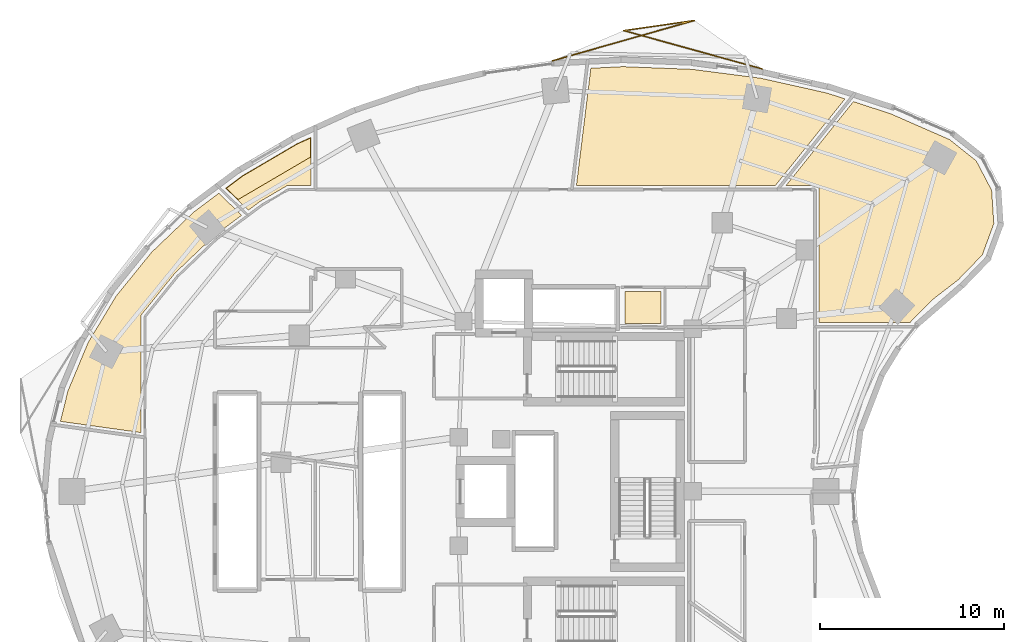
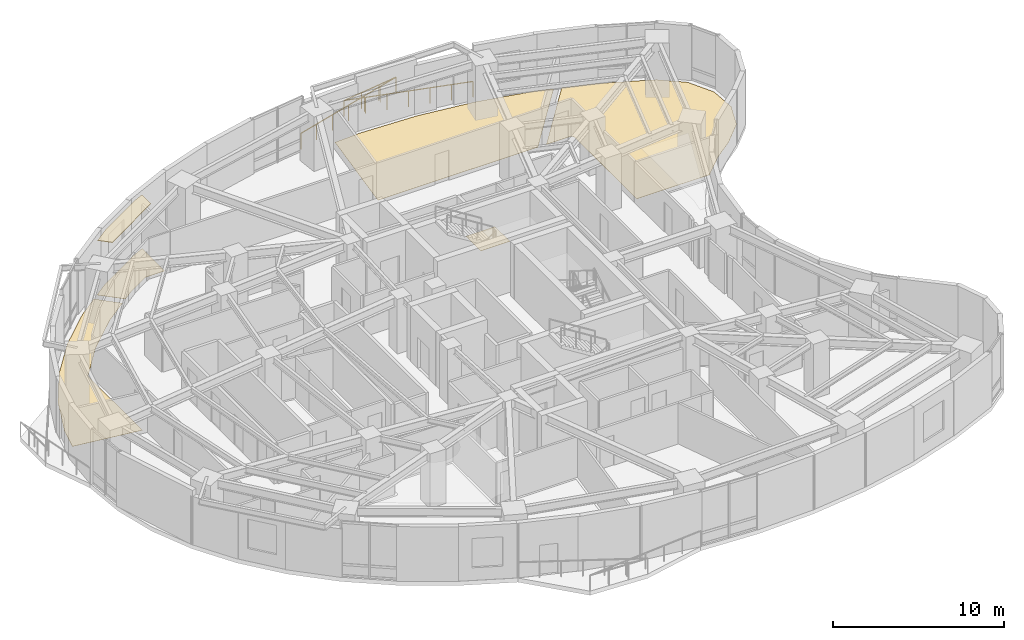
# One storey, part 16 of 16: 6 coverings, 1 railing.
"""IFC4 building model written with IfcOpenShell, lengths in metres."""

from ifc_helpers import new_model, si_unit, direction, frame, origin, origin_2d, place, context, subcontext, project, spatial, polyline, rectangle, outline, extrude, material, layer, layer_set, type_object, element, save


model = new_model("IFC4")

# Units and contexts
model_context = context("Model", 3, precision=1e-05, world=origin(), true_north=direction((0.0, 1.0)))
body_context = subcontext(model_context, "Body", "Model", "MODEL_VIEW")
ifc_project = project(units=[si_unit("LENGTHUNIT", "METRE"), si_unit("AREAUNIT", "SQUARE_METRE"), si_unit("VOLUMEUNIT", "CUBIC_METRE"), si_unit("PLANEANGLEUNIT", "RADIAN"), si_unit("MASSUNIT", "GRAM", prefix="KILO")], contexts=[model_context])

# Site, building, storey
site_placement = place(None, origin())
site = spatial("IfcSite", under=ifc_project, at=site_placement, CompositionType="ELEMENT")
building_placement = place(site_placement, origin())
building = spatial("IfcBuilding", under=site, at=building_placement, Name="Korentha Bioscience Tower", CompositionType="ELEMENT")
storey_placement = place(building_placement, frame((0.0, 0.0, 59.39990234375)))
storey = spatial("IfcBuildingStorey", under=building, at=storey_placement, Name="L13", CompositionType="ELEMENT", Elevation=59.39990234375)

# Covering
ifc_material_1 = material(Name="Vitrified Porcelain Tile", Category="ceramic")
ifc_layer_1 = layer(ifc_material_1, 0.014892578125, Name="Vitrified Porcelain Tile")
ifc_layer_set_1 = layer_set([ifc_layer_1], Name="Vitrified Porcelain Tile (FL-CER)")
covering_type_1 = type_object("IfcCoveringType", Name="Anti-Slip Ceramic Wet-Room Tile Flooring 15", PredefinedType="FLOORING", material=ifc_layer_set_1)
covering_1_placement = place(storey_placement, origin())
element("IfcCovering", 1, at=covering_1_placement, inside=storey, type_object=covering_type_1, Name="L13 Accessible Staff WC Floor Finish", PredefinedType="FLOORING", context=body_context, shape_type="SweptSolid", body=[
    extrude(outline(polyline([(33.8701171875, 36.1298828125), (33.8701171875, 37.8701171875), (35.830078125, 37.8701171875), (35.830078125, 36.1298828125), (33.8701171875, 36.1298828125)])), origin(), (0.0, 0.0, 1.0), 0.01513671875),
])

# Railing
ifc_material_2 = material(Name="Laminated Tempered Safety Glass", Category="glass")
railing_type = type_object("IfcRailingType", Name="Laminated Glass Balcony Guardrail 1150", PredefinedType="BALUSTRADE", material=ifc_material_2)
railing_placement = place(storey_placement, frame((41.33349609375, 49.9638671875, 0.0)))
element("IfcRailing", 2, at=railing_placement, inside=storey, type_object=railing_type, Name="L13 Balcony Guardrail 01", PredefinedType="BALUSTRADE", context=body_context, shape_type="SweptSolid", body=[
    extrude(rectangle(XDim=0.048095703125, YDim=0.048095703125, at=origin_2d()), frame((0.0, 0.0, 1.1259765625), z_axis=(-0.963705393493, 0.266968002864, 0.0), x_axis=(-0.266968002864, -0.963705393493, 0.0)), (0.0, 0.0, 1.0), 7.80712890625),
    extrude(rectangle(XDim=0.048095703125, YDim=0.048095703125, at=origin_2d()), frame((-7.523681640625, 2.084228515625, 1.1259765625), z_axis=(0.989867578194, 0.141993583099, 0.0), x_axis=(-0.141993583099, 0.989867578194, 0.0)), (0.0, 0.0, 1.0), 3.88232421875),
    extrude(rectangle(XDim=0.048095703125, YDim=0.048095703125, at=origin_2d()), frame((-3.6806640625, 2.635498046875, 1.1259765625), z_axis=(-0.961886221557, -0.27344998954, 0.0), x_axis=(0.27344998954, -0.961886221557, 0.0)), (0.0, 0.0, 1.0), 8.017578125),
    extrude(rectangle(XDim=0.0419921875, YDim=0.0419921875, at=origin_2d()), origin(), (0.0, 0.0, 1.0), 1.101806640625),
    extrude(rectangle(XDim=0.0419921875, YDim=0.0419921875, at=origin_2d()), frame((-1.25390625, 0.347412109375, 0.0)), (0.0, 0.0, 1.0), 1.101806640625),
    extrude(rectangle(XDim=0.0419921875, YDim=0.0419921875, at=origin_2d()), frame((-2.5078125, 0.69482421875, 0.0)), (0.0, 0.0, 1.0), 1.101806640625),
    extrude(rectangle(XDim=0.0419921875, YDim=0.0419921875, at=origin_2d()), frame((-3.76171875, 1.0419921875, 0.0)), (0.0, 0.0, 1.0), 1.101806640625),
    extrude(rectangle(XDim=0.0419921875, YDim=0.0419921875, at=origin_2d()), frame((-5.015869140625, 1.389404296875, 0.0)), (0.0, 0.0, 1.0), 1.101806640625),
    extrude(rectangle(XDim=0.0419921875, YDim=0.0419921875, at=origin_2d()), frame((-6.269775390625, 1.73681640625, 0.0)), (0.0, 0.0, 1.0), 1.101806640625),
    extrude(rectangle(XDim=0.0419921875, YDim=0.0419921875, at=origin_2d()), frame((-7.523681640625, 2.084228515625, 0.0)), (0.0, 0.0, 1.0), 1.101806640625),
    extrude(rectangle(XDim=0.0419921875, YDim=0.0419921875, at=origin_2d()), frame((-6.24267578125, 2.26806640625, 0.0)), (0.0, 0.0, 1.0), 1.101806640625),
    extrude(rectangle(XDim=0.0419921875, YDim=0.0419921875, at=origin_2d()), frame((-4.961669921875, 2.45166015625, 0.0)), (0.0, 0.0, 1.0), 1.101806640625),
    extrude(rectangle(XDim=0.0419921875, YDim=0.0419921875, at=origin_2d()), frame((-3.6806640625, 2.635498046875, 0.0)), (0.0, 0.0, 1.0), 1.101806640625),
    extrude(rectangle(XDim=0.0419921875, YDim=0.0419921875, at=origin_2d()), frame((-4.966064453125, 2.27001953125, 0.0)), (0.0, 0.0, 1.0), 1.101806640625),
    extrude(rectangle(XDim=0.0419921875, YDim=0.0419921875, at=origin_2d()), frame((-6.251220703125, 1.90478515625, 0.0)), (0.0, 0.0, 1.0), 1.101806640625),
    extrude(rectangle(XDim=0.0419921875, YDim=0.0419921875, at=origin_2d()), frame((-7.53662109375, 1.539306640625, 0.0)), (0.0, 0.0, 1.0), 1.101806640625),
    extrude(rectangle(XDim=0.0419921875, YDim=0.0419921875, at=origin_2d()), frame((-8.822021484375, 1.173828125, 0.0)), (0.0, 0.0, 1.0), 1.101806640625),
    extrude(rectangle(XDim=0.0419921875, YDim=0.0419921875, at=origin_2d()), frame((-10.107177734375, 0.80859375, 0.0)), (0.0, 0.0, 1.0), 1.101806640625),
    extrude(rectangle(XDim=0.0419921875, YDim=0.0419921875, at=origin_2d()), frame((-11.392578125, 0.443115234375, 0.0)), (0.0, 0.0, 1.0), 1.101806640625),
])

# Coverings
ifc_material_3 = material(Name="Antimicrobial Mineral Fibre Board", Category="gypsum")
ifc_layer_2 = layer(ifc_material_3, 0.034912109375, Name="Antimicrobial Mineral Fibre Board")
ifc_layer_set_2 = layer_set([ifc_layer_2], Name="Antimicrobial Mineral Fibre Board (CL-MF35)")
covering_type_2 = type_object("IfcCoveringType", Name="Mineral-Fibre Cleanroom Suspended Ceiling 35", PredefinedType="CEILING", material=ifc_layer_set_2)
covering_2_placement = place(storey_placement, frame((0.0, 0.0, 3.864990234375)))
element("IfcCovering", 3, at=covering_2_placement, inside=storey, type_object=covering_type_2, Name="L13 Research Group Leader Office 17 Acoustic Ceiling", PredefinedType="CEILING", context=body_context, shape_type="SweptSolid", body=[
    extrude(outline(polyline([(12.85107421875, 42.864990234375), (12.214599609375, 43.477294921875), (13.11279296875, 44.148681640625), (16.059814453125, 45.878173828125), (16.7919921875, 46.21044921875), (16.7919921875, 45.175537109375), (12.85107421875, 42.864990234375)])), origin(), (0.0, 0.0, 1.0), 0.03515625),
])
ifc_material_4 = material(Name="Chemical-Resistant Epoxy Resin", Category="polymer")
ifc_layer_3 = layer(ifc_material_4, 0.011962890625, Name="Chemical-Resistant Epoxy Resin")
ifc_layer_set_3 = layer_set([ifc_layer_3], Name="Chemical-Resistant Epoxy Resin (FL-EPX)")
covering_type_3 = type_object("IfcCoveringType", Name="Seamless Epoxy Laboratory Flooring 12", PredefinedType="FLOORING", material=ifc_layer_set_3)
covering_3_placement = place(storey_placement, origin())
element("IfcCovering", 4, at=covering_3_placement, inside=storey, type_object=covering_type_3, Name="L13 Proteomics Crystallography Laboratory 13 Floor Finish", PredefinedType="FLOORING", context=body_context, shape_type="SweptSolid", body=[
    extrude(outline(polyline([(44.429931640625, 36.177978515625), (44.423095703125, 43.455322265625), (44.35400390625, 43.57080078125), (44.27783203125, 43.616455078125), (44.2119140625, 43.629638671875), (42.62939453125, 43.6298828125), (46.29248046875, 48.18603515625), (48.310302734375, 47.52978515625), (51.5166015625, 46.125), (52.96630859375, 44.970458984375), (53.805419921875, 43.364501953125), (53.922607421875, 41.556396484375), (53.297607421875, 39.85546875), (51.98876953125, 38.5029296875), (50.681884765625, 37.4970703125), (49.50390625, 36.340087890625), (49.3701171875, 36.177978515625), (44.429931640625, 36.177978515625)])), origin(), (0.0, 0.0, 1.0), 0.01220703125),
])
covering_4_placement = place(storey_placement, origin())
element("IfcCovering", 5, at=covering_4_placement, inside=storey, type_object=covering_type_3, Name="L13 Peptide Synthesis Wet Lab 15 Floor Finish", PredefinedType="FLOORING", context=body_context, shape_type="SweptSolid", body=[
    extrude(outline(polyline([(33.756103515625, 50.0888671875), (37.5263671875, 49.942138671875), (41.244873046875, 49.461181640625), (44.857177734375, 48.65283203125), (45.834716796875, 48.3349609375), (42.056884765625, 43.63623046875), (31.2392578125, 43.630126953125), (32.021484375, 50.001220703125), (33.756103515625, 50.0888671875)])), origin(), (0.0, 0.0, 1.0), 0.01220703125),
])
covering_5_placement = place(storey_placement, origin())
element("IfcCovering", 6, at=covering_5_placement, inside=storey, type_object=covering_type_3, Name="L13 Research Group Leader Office 17 Floor Finish", PredefinedType="FLOORING", context=body_context, shape_type="SweptSolid", body=[
    extrude(outline(polyline([(16.822021484375, 46.257080078125), (16.822021484375, 43.6298828125), (15.5908203125, 43.6298828125), (15.5068359375, 43.614013671875), (14.0390625, 42.755615234375), (13.40966796875, 42.285400390625), (12.16845703125, 43.47998046875), (13.09619140625, 44.173828125), (16.0458984375, 45.90478515625), (16.822021484375, 46.257080078125)])), origin(), (0.0, 0.0, 1.0), 0.01220703125),
])
covering_6_placement = place(storey_placement, origin())
element("IfcCovering", 7, at=covering_6_placement, inside=storey, type_object=covering_type_3, Name="L13 Colloquium Huddle Room 19 Floor Finish", PredefinedType="FLOORING", context=body_context, shape_type="SweptSolid", body=[
    extrude(outline(polyline([(4.702392578125, 35.097900390625), (6.225830078125, 37.6240234375), (8.15087890625, 40.001708984375), (10.451904296875, 42.1962890625), (11.80322265625, 43.206787109375), (13.044677734375, 42.012451171875), (11.551513671875, 40.89501953125), (9.414306640625, 38.857421875), (7.591552734375, 36.59814453125), (7.570068359375, 36.501220703125), (7.570068359375, 30.2001953125), (3.194580078125, 30.807373046875), (3.600830078125, 32.46044921875), (4.702392578125, 35.097900390625)])), origin(), (0.0, 0.0, 1.0), 0.01220703125),
])

save(model, "model.ifc")
